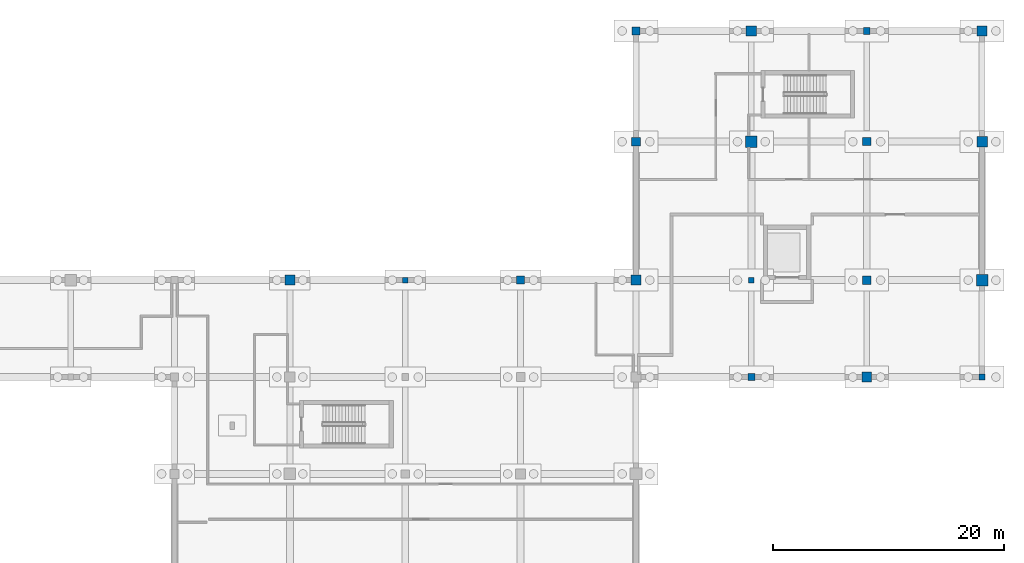
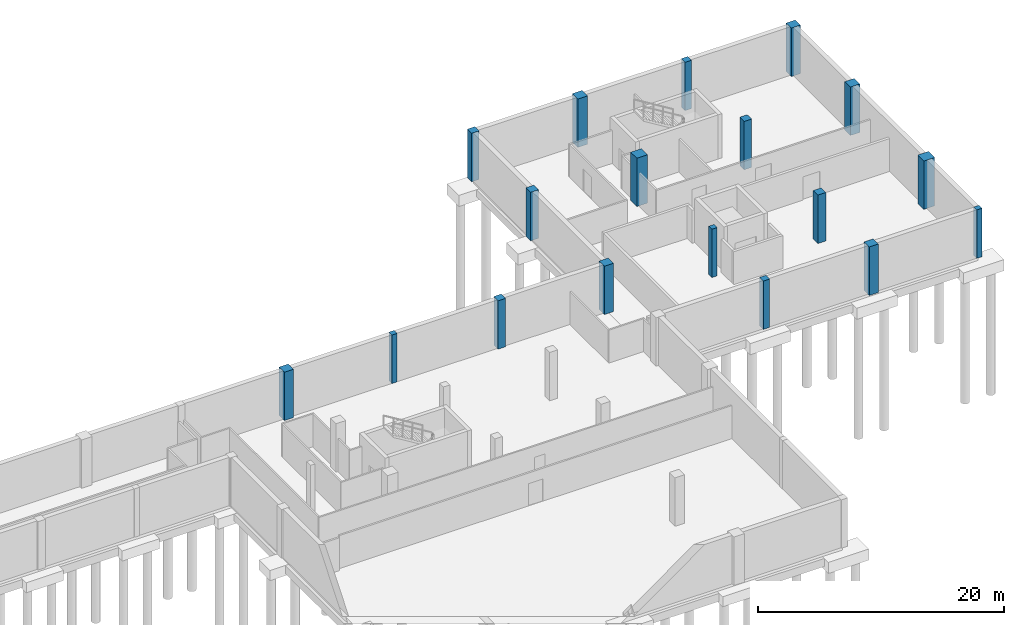
# One storey, part 10 of 28: 18 columns.
"""IFC4 building model written with IfcOpenShell, lengths in metres."""

from ifc_helpers import new_model, si_unit, direction, frame, origin, origin_2d, place, context, subcontext, project, spatial, rectangle, extrude, material, material_profile, profile_set, type_object, element, save


model = new_model("IFC4")

# Units and contexts
model_context = context("Model", 3, precision=1e-05, world=origin(), true_north=direction((0.0, 1.0)))
body_context = subcontext(model_context, "Body", "Model", "MODEL_VIEW")
ifc_project = project(units=[si_unit("LENGTHUNIT", "METRE"), si_unit("AREAUNIT", "SQUARE_METRE"), si_unit("VOLUMEUNIT", "CUBIC_METRE"), si_unit("PLANEANGLEUNIT", "RADIAN"), si_unit("MASSUNIT", "GRAM", prefix="KILO")], contexts=[model_context])

# Site, building, storey
site_placement = place(None, origin())
site = spatial("IfcSite", under=ifc_project, at=site_placement, CompositionType="ELEMENT")
building_placement = place(site_placement, origin())
building = spatial("IfcBuilding", under=site, at=building_placement, Name="Zereglee Splitstone Museum", CompositionType="ELEMENT")
storey_placement = place(building_placement, frame((0.0, 0.0, -4.800048828125)))
storey = spatial("IfcBuildingStorey", under=building, at=storey_placement, Name="B1", CompositionType="ELEMENT", Elevation=-4.800048828125)

# Columns
ifc_material = material(Name="Concrete C45/55", Category="concrete")
ifc_material_profile_1 = material_profile(ifc_material, rectangle(XDim=1.0, YDim=1.0, at=origin_2d()), Name="RC 1000x1000")
ifc_profile_set_1 = profile_set([ifc_material_profile_1], Name="Concrete C45/55")
column_type_1 = type_object("IfcColumnType", Name="C-02", PredefinedType="COLUMN", material=ifc_profile_set_1)
for number, where, z_axis, x_axis, name in (
    (1, (306.0, 50.39990234375, 0.0), (0.0, 0.0, 1.0), (1.0, 0.0, 0.0), "Column 34/F B1"),
    (2, (326.0, 38.39990234375, 0.0), (0.0, 0.0, 1.0), (1.0, 0.0, 0.0), "Column 36/E B1"),
):
    element("IfcColumn", number, at=place(storey_placement, frame(where, z_axis=z_axis, x_axis=x_axis)), inside=storey, type_object=column_type_1, Name=name, PredefinedType="COLUMN", context=body_context, shape_type="SweptSolid", body=[
        extrude(rectangle(XDim=1.0, YDim=1.0, at=origin_2d()), origin(), (0.0, 0.0, 1.0), 4.800048828125),
    ])
ifc_material_profile_2 = material_profile(ifc_material, rectangle(XDim=0.5, YDim=0.5, at=origin_2d()), Name="RC 500x500")
ifc_profile_set_2 = profile_set([ifc_material_profile_2], Name="Concrete C45/55")
column_type_2 = type_object("IfcColumnType", Name="C-08", PredefinedType="COLUMN", material=ifc_profile_set_2)
for number, where, z_axis, x_axis, name in (
    (3, (276.0, 38.39990234375, 0.0), (0.0, 0.0, 1.0), (1.0, 0.0, 0.0), "Column 31/E B1"),
    (4, (306.0, 38.39990234375, 0.0), (0.0, 0.0, 1.0), (1.0, 0.0, 0.0), "Column 34/E B1"),
    (5, (326.0, 30.0, 0.0), (0.0, 0.0, 1.0), (1.0, 0.0, 0.0), "Column 36/D B1"),
):
    element("IfcColumn", number, at=place(storey_placement, frame(where, z_axis=z_axis, x_axis=x_axis)), inside=storey, type_object=column_type_2, Name=name, PredefinedType="COLUMN", context=body_context, shape_type="SweptSolid", body=[
        extrude(rectangle(XDim=0.5, YDim=0.5, at=origin_2d()), origin(), (0.0, 0.0, 1.0), 4.800048828125),
    ])
ifc_material_profile_3 = material_profile(ifc_material, rectangle(XDim=0.60009765625, YDim=0.60009765625, at=origin_2d()), Name="RC 600x600")
ifc_profile_set_3 = profile_set([ifc_material_profile_3], Name="Concrete C45/55")
column_type_3 = type_object("IfcColumnType", Name="C-07", PredefinedType="COLUMN", material=ifc_profile_set_3)
for number, where, z_axis, x_axis, name in (
    (6, (306.0, 30.0, 0.0), (0.0, 0.0, 1.0), (1.0, 0.0, 0.0), "Column 34/D B1"),
    (7, (316.0, 60.0, 0.0), (0.0, 0.0, 1.0), (1.0, 0.0, 0.0), "Column 35/G B1"),
):
    element("IfcColumn", number, at=place(storey_placement, frame(where, z_axis=z_axis, x_axis=x_axis)), inside=storey, type_object=column_type_3, Name=name, PredefinedType="COLUMN", context=body_context, shape_type="SweptSolid", body=[
        extrude(rectangle(XDim=0.60009765625, YDim=0.60009765625, at=origin_2d()), origin(), (0.0, 0.0, 1.0), 4.800048828125),
    ])
ifc_material_profile_4 = material_profile(ifc_material, rectangle(XDim=0.699951171875, YDim=0.699951171875, at=origin_2d()), Name="RC 700x700")
ifc_profile_set_4 = profile_set([ifc_material_profile_4], Name="Concrete C45/55")
column_type_4 = type_object("IfcColumnType", Name="C-06", PredefinedType="COLUMN", material=ifc_profile_set_4)
for number, where, z_axis, x_axis, name in (
    (8, (286.0, 38.39990234375, 0.0), (0.0, 0.0, 1.0), (1.0, 0.0, 0.0), "Column 32/E B1"),
    (9, (296.0, 60.0, 0.0), (0.0, 0.0, 1.0), (1.0, 0.0, 0.0), "Column 33/G B1"),
    (10, (316.0, 50.39990234375, 0.0), (0.0, 0.0, 1.0), (1.0, 0.0, 0.0), "Column 35/F B1"),
):
    element("IfcColumn", number, at=place(storey_placement, frame(where, z_axis=z_axis, x_axis=x_axis)), inside=storey, type_object=column_type_4, Name=name, PredefinedType="COLUMN", context=body_context, shape_type="SweptSolid", body=[
        extrude(rectangle(XDim=0.699951171875, YDim=0.699951171875, at=origin_2d()), origin(), (0.0, 0.0, 1.0), 4.800048828125),
    ])
ifc_material_profile_5 = material_profile(ifc_material, rectangle(XDim=0.75, YDim=0.75, at=origin_2d()), Name="RC 750x750")
ifc_profile_set_5 = profile_set([ifc_material_profile_5], Name="Concrete C45/55")
column_type_5 = type_object("IfcColumnType", Name="C-05", PredefinedType="COLUMN", material=ifc_profile_set_5)
for number, where, z_axis, x_axis, name in (
    (11, (296.0, 50.39990234375, 0.0), (0.0, 0.0, 1.0), (1.0, 0.0, 0.0), "Column 33/F B1"),
    (12, (316.0, 38.39990234375, 0.0), (0.0, 0.0, 1.0), (1.0, 0.0, 0.0), "Column 35/E B1"),
):
    element("IfcColumn", number, at=place(storey_placement, frame(where, z_axis=z_axis, x_axis=x_axis)), inside=storey, type_object=column_type_5, Name=name, PredefinedType="COLUMN", context=body_context, shape_type="SweptSolid", body=[
        extrude(rectangle(XDim=0.75, YDim=0.75, at=origin_2d()), origin(), (0.0, 0.0, 1.0), 4.800048828125),
    ])
ifc_material_profile_6 = material_profile(ifc_material, rectangle(XDim=0.85009765625, YDim=0.85009765625, at=origin_2d()), Name="RC 850x850")
ifc_profile_set_6 = profile_set([ifc_material_profile_6], Name="Concrete C45/55")
column_type_6 = type_object("IfcColumnType", Name="C-04", PredefinedType="COLUMN", material=ifc_profile_set_6)
for number, where, z_axis, x_axis, name in (
    (13, (266.0, 38.39990234375, 0.0), (0.0, 0.0, 1.0), (1.0, 0.0, 0.0), "Column 30/E B1"),
    (14, (296.0, 38.39990234375, 0.0), (0.0, 0.0, 1.0), (1.0, 0.0, 0.0), "Column 33/E B1"),
    (15, (316.0, 30.0, 0.0), (0.0, 0.0, 1.0), (1.0, 0.0, 0.0), "Column 35/D B1"),
    (16, (326.0, 60.0, 0.0), (0.0, 0.0, 1.0), (1.0, 0.0, 0.0), "Column 36/G B1"),
):
    element("IfcColumn", number, at=place(storey_placement, frame(where, z_axis=z_axis, x_axis=x_axis)), inside=storey, type_object=column_type_6, Name=name, PredefinedType="COLUMN", context=body_context, shape_type="SweptSolid", body=[
        extrude(rectangle(XDim=0.85009765625, YDim=0.85009765625, at=origin_2d()), origin(), (0.0, 0.0, 1.0), 4.800048828125),
    ])
ifc_material_profile_7 = material_profile(ifc_material, rectangle(XDim=0.89990234375, YDim=0.89990234375, at=origin_2d()), Name="RC 900x900")
ifc_profile_set_7 = profile_set([ifc_material_profile_7], Name="Concrete C45/55")
column_type_7 = type_object("IfcColumnType", Name="C-03", PredefinedType="COLUMN", material=ifc_profile_set_7)
for number, where, z_axis, x_axis, name in (
    (17, (306.0, 60.0, 0.0), (0.0, 0.0, 1.0), (1.0, 0.0, 0.0), "Column 34/G B1"),
    (18, (326.0, 50.39990234375, 0.0), (0.0, 0.0, 1.0), (1.0, 0.0, 0.0), "Column 36/F B1"),
):
    element("IfcColumn", number, at=place(storey_placement, frame(where, z_axis=z_axis, x_axis=x_axis)), inside=storey, type_object=column_type_7, Name=name, PredefinedType="COLUMN", context=body_context, shape_type="SweptSolid", body=[
        extrude(rectangle(XDim=0.89990234375, YDim=0.89990234375, at=origin_2d()), origin(), (0.0, 0.0, 1.0), 4.800048828125),
    ])

save(model, "model.ifc")
